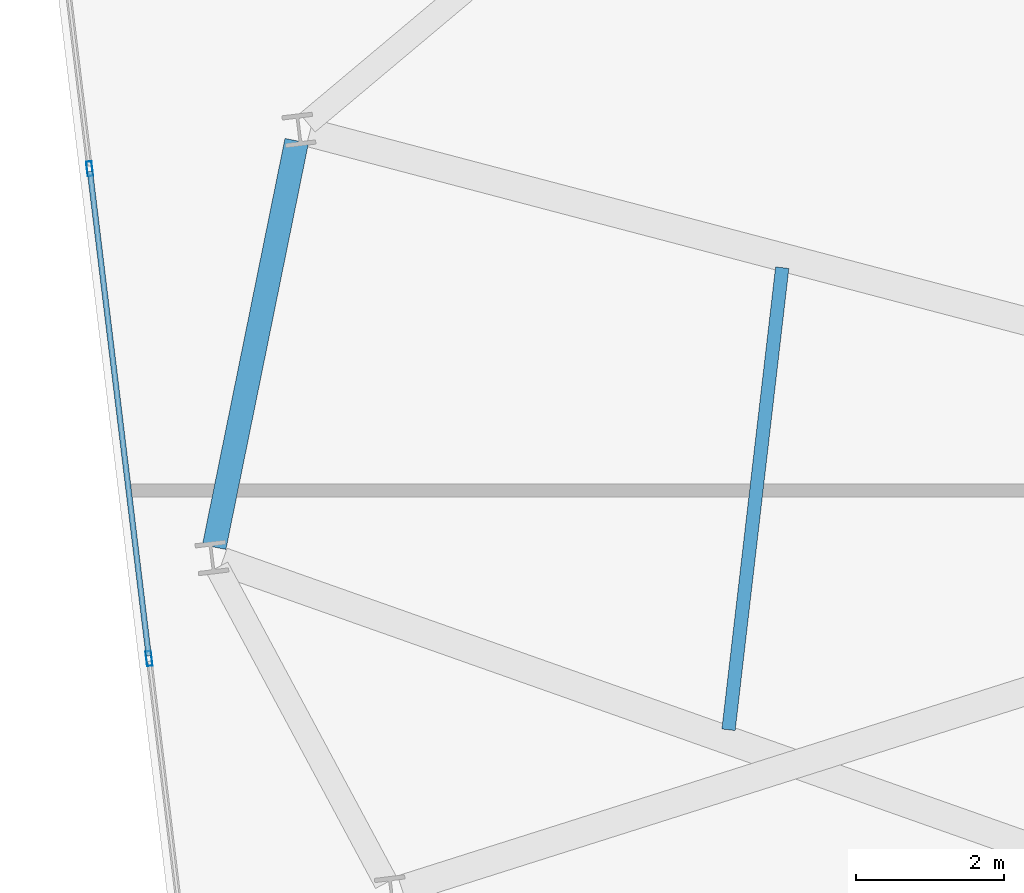
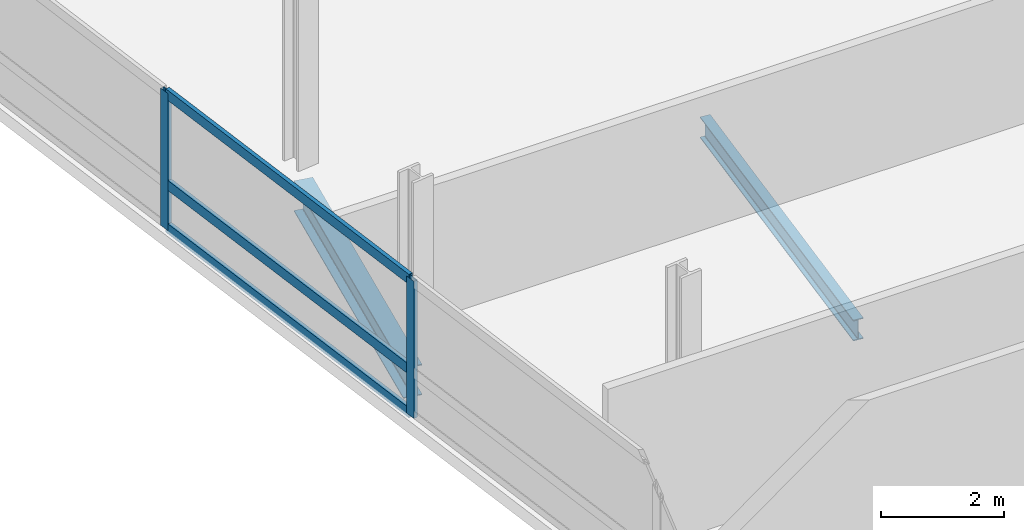
# One storey, part 6 of 23: 5 members, 2 beams, 1 element without a shape of its own.
"""IFC4 building model written with IfcOpenShell, lengths in metres."""

from ifc_helpers import new_model, si_unit, direction, frame, origin, origin_2d, place, context, subcontext, project, spatial, hollow_rectangle, i_section, extrude, material, layer, layer_set, material_profile, profile_set, type_object, element, aggregate, save


model = new_model("IFC4")

# Units and contexts
model_context = context("Model", 3, precision=1e-05, world=origin(), true_north=direction((0.0, 1.0)))
body_context = subcontext(model_context, "Body", "Model", "MODEL_VIEW")
ifc_project = project(units=[si_unit("LENGTHUNIT", "METRE"), si_unit("AREAUNIT", "SQUARE_METRE"), si_unit("VOLUMEUNIT", "CUBIC_METRE"), si_unit("PLANEANGLEUNIT", "RADIAN"), si_unit("MASSUNIT", "GRAM", prefix="KILO")], contexts=[model_context])

# Site, building, storey
site_placement = place(None, origin())
site = spatial("IfcSite", under=ifc_project, at=site_placement, CompositionType="ELEMENT")
building_placement = place(site_placement, origin())
building = spatial("IfcBuilding", under=site, at=building_placement, Name="Varnelok Gate Tower", CompositionType="ELEMENT")
storey_placement = place(building_placement, frame((0.0, 0.0, 193.10009765625)))
storey = spatial("IfcBuildingStorey", under=building, at=storey_placement, Name="L49", CompositionType="ELEMENT", Elevation=193.10009765625)

# Beams
ifc_material_1 = material(Name="Structural Steel ASTM A992 Grade 50", Category="steel")
ifc_material_profile_1 = material_profile(ifc_material_1, i_section(OverallWidth=0.180908203125, OverallDepth=0.4169921875, WebThickness=0.010986328125, FlangeThickness=0.018310546875, FilletRadius=0.013916015625, at=origin_2d()), Name="W16X57")
ifc_profile_set_1 = profile_set([ifc_material_profile_1], Name="Structural Steel ASTM A992 Grade 50")
beam_type_1 = type_object("IfcBeamType", Name="BM-JST-W16X57", PredefinedType="JOIST", material=ifc_profile_set_1)
beam_1_placement = place(storey_placement, frame((12.46630859375, 29.676025390625, -0.45849609375), z_axis=(-0.115437706944, -0.993314721433, 0.0), x_axis=(0.993314721433, -0.115437706944, 0.0)))
element("IfcBeam", 1, at=beam_1_placement, inside=storey, type_object=beam_type_1, Name="L49 Sector Floor Joist 11", PredefinedType="JOIST", context=body_context, shape_type="SweptSolid", body=[
    extrude(i_section(OverallWidth=0.180908203125, OverallDepth=0.4169921875, WebThickness=0.010986328125, FlangeThickness=0.018310546875, FilletRadius=0.013916015625, at=origin_2d()), origin(), (0.0, 0.0, 1.0), 6.298095703125),
])
ifc_material_profile_2 = material_profile(ifc_material_1, i_section(OverallWidth=0.323974609375, OverallDepth=0.611083984375, WebThickness=0.0126953125, FlangeThickness=0.01904296875, FilletRadius=0.01806640625, at=origin_2d()), Name="W24X104")
ifc_profile_set_2 = profile_set([ifc_material_profile_2], Name="Structural Steel ASTM A992 Grade 50")
beam_type_2 = type_object("IfcBeamType", Name="BM-SPN-W24X104", PredefinedType="SPANDREL", material=ifc_profile_set_2)
beam_2_placement = place(storey_placement, frame((5.893310546875, 31.393798828125, -0.5556640625), z_axis=(-0.199143476404, -0.97997034435, 0.0), x_axis=(0.97997034435, -0.199143476404, 0.0)))
element("IfcBeam", 2, at=beam_2_placement, inside=storey, type_object=beam_type_2, Name="L49 Perimeter Spandrel Beam 14", PredefinedType="SPANDREL", context=body_context, shape_type="SweptSolid", body=[
    extrude(i_section(OverallWidth=0.323974609375, OverallDepth=0.611083984375, WebThickness=0.0126953125, FlangeThickness=0.01904296875, FilletRadius=0.01806640625, at=origin_2d()), origin(), (0.0, 0.0, 1.0), 5.6123046875),
])

# Curtain wall, members
ifc_material_2 = material(Name="Anodized Aluminum Alloy 6063-T6", Category="aluminium")
ifc_layer = layer(ifc_material_2, 0.179931640625)
ifc_layer_set = layer_set([ifc_layer], Name="Anodized Aluminum Alloy 6063-T6")
curtain_wall_type = type_object("IfcCurtainWallType", Name="CW4-RESIDENCE-VISION", PredefinedType="USERDEFINED", material=ifc_layer_set)
curtain_wall_placement = place(storey_placement, origin())
curtain_wall = element("IfcCurtainWall", 3, at=curtain_wall_placement, inside=storey, type_object=curtain_wall_type, Name="L49 West End Vision Curtain Wall", ObjectType="UNITISED CURTAIN WALL", PredefinedType="USERDEFINED")
ifc_material_profile_3 = material_profile(ifc_material_2, hollow_rectangle(XDim=0.074951171875, YDim=0.199951171875, WallThickness=0.00390625, at=origin_2d()), Name="ALU200X75X4")
ifc_profile_set_3 = profile_set([ifc_material_profile_3], Name="Anodized Aluminum Alloy 6063-T6")
member_type_1 = type_object("IfcMemberType", Name="CW-MULL-200", PredefinedType="MULLION", material=ifc_profile_set_3)
member_1_placement = place(storey_placement, frame((3.8935546875, 24.384521484375, 0.0), z_axis=(0.0, 0.0, 1.0), x_axis=(-0.992732188751, -0.120344511371, 0.0)))
member_1 = element("IfcMember", 4, at=member_1_placement, type_object=member_type_1, Name="CW4 mullion 4", PredefinedType="MULLION", context=body_context, shape_type="SweptSolid", body=[
    extrude(hollow_rectangle(XDim=0.074951171875, YDim=0.199951171875, WallThickness=0.00390625, at=origin_2d()), origin(), (0.0, 0.0, 1.0), 2.72998046875),
])
member_2_placement = place(storey_placement, frame((3.089599609375, 31.015869140625, 0.0), z_axis=(0.0, 0.0, 1.0), x_axis=(-0.992732188751, -0.120344511371, 0.0)))
member_2 = element("IfcMember", 5, at=member_2_placement, type_object=member_type_1, Name="CW4 mullion 5", PredefinedType="MULLION", context=body_context, shape_type="SweptSolid", body=[
    extrude(hollow_rectangle(XDim=0.074951171875, YDim=0.199951171875, WallThickness=0.00390625, at=origin_2d()), origin(), (0.0, 0.0, 1.0), 2.72998046875),
])
ifc_material_profile_4 = material_profile(ifc_material_2, hollow_rectangle(XDim=0.074951171875, YDim=0.199951171875, WallThickness=0.00390625, at=origin_2d()), Name="ALU200X75X4")
ifc_profile_set_4 = profile_set([ifc_material_profile_4], Name="Anodized Aluminum Alloy 6063-T6")
member_type_2 = type_object("IfcMemberType", Name="CW-TRAN-200", PredefinedType="USERDEFINED", material=ifc_profile_set_4)
member_3_placement = place(storey_placement, frame((3.88916015625, 24.421630859375, 0.037353515625), z_axis=(-0.120353445289, 0.992731105691, 0.0), x_axis=(-0.992731105691, -0.120353445289, 0.0)))
member_3 = element("IfcMember", 6, at=member_3_placement, type_object=member_type_2, Name="CW4 transom 4.1", ObjectType="TRANSOM", PredefinedType="USERDEFINED", context=body_context, shape_type="SweptSolid", body=[
    extrude(hollow_rectangle(XDim=0.074951171875, YDim=0.199951171875, WallThickness=0.00390625, at=origin_2d()), origin(), (0.0, 0.0, 1.0), 6.60498046875),
])
member_4_placement = place(storey_placement, frame((3.88916015625, 24.421630859375, 0.89990234375), z_axis=(-0.120353445289, 0.992731105691, 0.0), x_axis=(-0.992731105691, -0.120353445289, 0.0)))
member_4 = element("IfcMember", 7, at=member_4_placement, type_object=member_type_2, Name="CW4 transom 4.2", ObjectType="TRANSOM", PredefinedType="USERDEFINED", context=body_context, shape_type="SweptSolid", body=[
    extrude(hollow_rectangle(XDim=0.074951171875, YDim=0.199951171875, WallThickness=0.00390625, at=origin_2d()), origin(), (0.0, 0.0, 1.0), 6.60498046875),
])
member_5_placement = place(storey_placement, frame((3.88916015625, 24.421630859375, 2.6923828125), z_axis=(-0.120353445289, 0.992731105691, 0.0), x_axis=(-0.992731105691, -0.120353445289, 0.0)))
member_5 = element("IfcMember", 8, at=member_5_placement, type_object=member_type_2, Name="CW4 transom 4.3", ObjectType="TRANSOM", PredefinedType="USERDEFINED", context=body_context, shape_type="SweptSolid", body=[
    extrude(hollow_rectangle(XDim=0.074951171875, YDim=0.199951171875, WallThickness=0.00390625, at=origin_2d()), origin(), (0.0, 0.0, 1.0), 6.60498046875),
])
aggregate(curtain_wall, [member_1, member_2, member_3, member_4, member_5])

save(model, "model.ifc")
